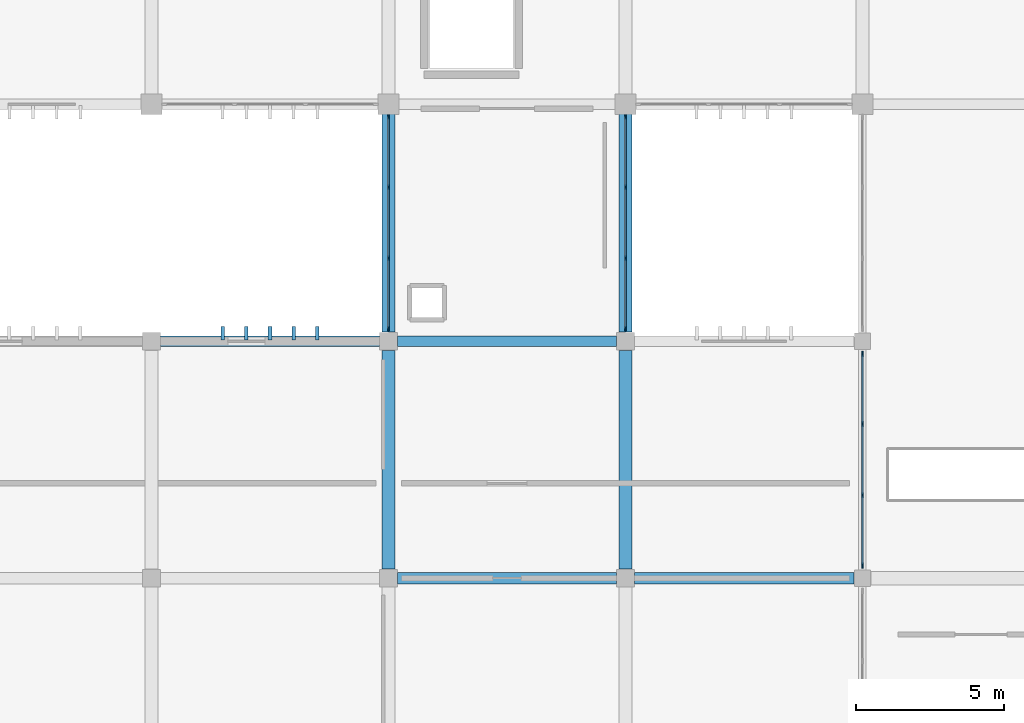
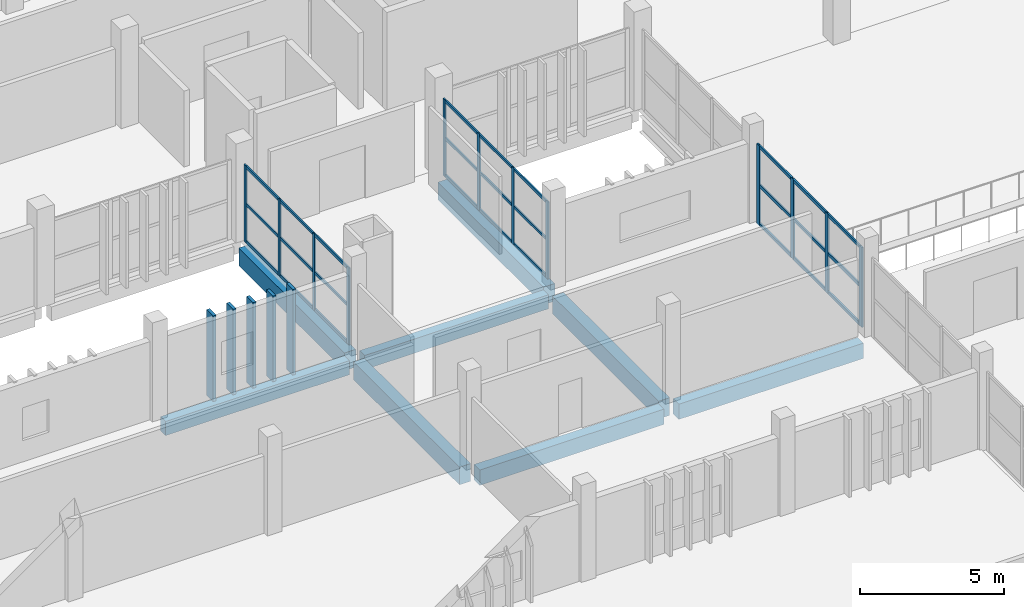
# One storey, part 54 of 137: 44 members, 8 beams, 3 elements without a shape of their own.
"""IFC4 building model written with IfcOpenShell, lengths in metres."""

import ifcopenshell
import ifcopenshell.guid

model = None  # the IFC model being written
_history = None  # IfcOwnerHistory: only IFC2X3 demands one
_inside = {}  # id of a spatial element -> (the spatial element, [elements in it])
_under = {}  # id of a project, library or spatial element -> (it, [spatial elements below it])
_declared = {}  # id of a project -> (the project, [libraries it declares])
_typed = {}  # id of a type object -> (the type object, [elements of that type])
_made_of = {}  # id of a material, layer set ... -> (it, [elements and type objects made of it])


def new_model(schema):
    """Start an empty IFC model of exactly this schema.

    Asked for "IFC4X3", IfcOpenShell would pick the latest addendum, in which some entities
    have other attributes; the version numbers below select the first issue.
    IFC2X3 requires an IfcOwnerHistory on every rooted entity: one is made here for all.
    """
    global model, _history
    if schema == "IFC4X3":
        model = ifcopenshell.file(schema_version=(4, 3, 0, 0))
    else:
        model = ifcopenshell.file(schema=schema)
    _inside.clear()
    _under.clear()
    _declared.clear()
    _typed.clear()
    _made_of.clear()
    _history = None
    if model.schema == "IFC2X3":
        org = make("IfcOrganization", Name="unknown")
        user = make(
            "IfcPersonAndOrganization",
            ThePerson=make("IfcPerson", FamilyName="unknown"),
            TheOrganization=org,
        )
        app = make(
            "IfcApplication",
            ApplicationDeveloper=org,
            Version="unknown",
            ApplicationFullName="unknown",
            ApplicationIdentifier="unknown",
        )
        _history = make(
            "IfcOwnerHistory",
            OwningUser=user,
            OwningApplication=app,
            ChangeAction="ADDED",
            CreationDate=0,
        )
    return model


def make(cls, **values):
    """One entity of the class cls with the attributes given. An attribute that is None is left unset."""
    return model.create_entity(
        cls, **{name: value for name, value in values.items() if value is not None}
    )


def rooted(cls, **values):
    """An entity with a GlobalId (a new one), such as an element, a storey or a relation."""
    return make(cls, GlobalId=ifcopenshell.guid.new(), OwnerHistory=_history, **values)


def si_unit(unit_type, name, prefix=None):
    """IfcSIUnit, for example si_unit("LENGTHUNIT", "METRE", prefix="MILLI")."""
    return make("IfcSIUnit", UnitType=unit_type, Prefix=prefix, Name=name)


def assignment(units):
    """IfcUnitAssignment: the units of a project."""
    return None if units is None else make("IfcUnitAssignment", Units=units)


def point(xyz):
    """IfcCartesianPoint."""
    return None if xyz is None else make("IfcCartesianPoint", Coordinates=xyz)


def direction(xyz):
    """IfcDirection."""
    return None if xyz is None else make("IfcDirection", DirectionRatios=xyz)


def frame(location, z_axis=None, x_axis=None):
    """IfcAxis2Placement3D, a coordinate frame: its origin and axes. An axis left out is left unset."""
    return make(
        "IfcAxis2Placement3D",
        Location=point(location),
        Axis=direction(z_axis),
        RefDirection=direction(x_axis),
    )


def frame_2d(location, x_axis=None):
    """IfcAxis2Placement2D, a coordinate frame in the plane: its origin and x axis."""
    return make(
        "IfcAxis2Placement2D", Location=point(location), RefDirection=direction(x_axis)
    )


def origin():
    """The frame at (0, 0, 0) with its axes left unset."""
    return frame((0.0, 0.0, 0.0))


def origin_2d():
    """The frame at (0, 0) in the plane with its x axis left unset."""
    return frame_2d((0.0, 0.0))


def place(relative_to, where):
    """IfcLocalPlacement: puts the frame where relative to a parent placement (None: the world)."""
    return make(
        "IfcLocalPlacement", PlacementRelTo=relative_to, RelativePlacement=where
    )


def context(
    kind, dimensions, precision=None, world=None, true_north=None, identifier=None
):
    """IfcGeometricRepresentationContext, for example the 3D "Model" context."""
    return make(
        "IfcGeometricRepresentationContext",
        ContextIdentifier=identifier,
        ContextType=kind,
        CoordinateSpaceDimension=dimensions,
        Precision=precision,
        WorldCoordinateSystem=world,
        TrueNorth=true_north,
    )


def subcontext(parent, identifier, kind, view, scale=None):
    """IfcGeometricRepresentationSubContext, for example "Body" below "Model"."""
    return make(
        "IfcGeometricRepresentationSubContext",
        ContextIdentifier=identifier,
        ContextType=kind,
        ParentContext=parent,
        TargetScale=scale,
        TargetView=view,
    )


def project(units=None, contexts=None):
    """IfcProject with its units and contexts."""
    return rooted(
        "IfcProject",
        Name="project",
        RepresentationContexts=contexts,
        UnitsInContext=assignment(units),
    )


def spatial(cls, under=None, at=None, **own):
    """A site, building, storey or space (cls), placed at a placement, below another one or the project."""
    s = rooted(cls, ObjectPlacement=at, **own)
    if under is not None:
        _under.setdefault(under.id(), (under, []))[1].append(s)
    return s


def profile(cls, at=None, kind="AREA", **sizes):
    """A parametric profile (cls). Its sizes go by their IFC names, for example OverallWidth=200.0."""
    return make(cls, ProfileType=kind, Position=at, **sizes)


def rectangle(**sizes):
    """IfcRectangleProfileDef."""
    return profile("IfcRectangleProfileDef", **sizes)


def extrude(swept, where, along, depth):
    """IfcExtrudedAreaSolid: the profile swept, set in the frame where, extruded along a direction by depth."""
    return make(
        "IfcExtrudedAreaSolid",
        SweptArea=swept,
        Position=where,
        ExtrudedDirection=direction(along),
        Depth=depth,
    )


def shape(context_of_items, identifier, shape_type, items):
    """IfcShapeRepresentation: the items that make up one representation, for example the "Body"."""
    return make(
        "IfcShapeRepresentation",
        ContextOfItems=context_of_items,
        RepresentationIdentifier=identifier,
        RepresentationType=shape_type,
        Items=items,
    )


def material(Name=None, Category=None):
    """IfcMaterial."""
    return make("IfcMaterial", Name=Name, Category=Category)


def layer(
    of_material, thickness, ventilated=None, Name=None, Category=None, Priority=None
):
    """IfcMaterialLayer: one layer of a wall or slab, of a material (None: an air gap)."""
    return make(
        "IfcMaterialLayer",
        Material=of_material,
        LayerThickness=thickness,
        IsVentilated=ventilated,
        Name=Name,
        Category=Category,
        Priority=Priority,
    )


def layer_set(layers, Name=None):
    """IfcMaterialLayerSet."""
    return make("IfcMaterialLayerSet", MaterialLayers=layers, LayerSetName=Name)


def material_profile(
    of_material, cross_section, Name=None, Category=None, Priority=None
):
    """IfcMaterialProfile: a cross section and its material."""
    return make(
        "IfcMaterialProfile",
        Name=Name,
        Material=of_material,
        Profile=cross_section,
        Priority=Priority,
        Category=Category,
    )


def profile_set(profiles, Name=None, composite=None):
    """IfcMaterialProfileSet."""
    return make(
        "IfcMaterialProfileSet",
        Name=Name,
        MaterialProfiles=profiles,
        CompositeProfile=composite,
    )


def made_of(thing, what):
    """Note that an element or type object is made of a material, layer set ...; save() writes the relation."""
    if what is not None:
        _made_of.setdefault(what.id(), (what, []))[1].append(thing)
    return thing


def type_object(cls, material=None, **own):
    """A type object (cls), such as IfcWallType, which elements share."""
    return made_of(rooted(cls, **own), material)


def element(
    cls,
    number,
    at=None,
    inside=None,
    cuts=None,
    type_object=None,
    material=None,
    context=None,
    identifier="Body",
    shape_type=None,
    held_by="IfcProductDefinitionShape",
    body=None,
    shapes=None,
    **own,
):
    """One element of the class cls, such as IfcWall. Its Tag is "e" and its number.

    at: its placement. inside: the storey or other place that contains it. cuts: it is an
    opening in that element (IfcRelVoidsElement). A single representation is given by context,
    identifier, shape_type and body (its items); several are given by shapes. held_by: the class
    of the entity that holds the representations. save() writes the other relations.
    """
    e = rooted(cls, Tag="e%d" % number, ObjectPlacement=at, **own)
    if body is not None:
        shapes = [shape(context, identifier, shape_type, body)]
    if shapes is not None:
        e.Representation = make(held_by, Representations=shapes)
    if inside is not None:
        _inside.setdefault(inside.id(), (inside, []))[1].append(e)
    if cuts is not None:
        rooted(
            "IfcRelVoidsElement", RelatingBuildingElement=cuts, RelatedOpeningElement=e
        )
    if type_object is not None:
        _typed.setdefault(type_object.id(), (type_object, []))[1].append(e)
    return made_of(e, material)


def aggregate(whole, parts):
    """IfcRelAggregates: a whole, such as a stair, and the parts it consists of."""
    return rooted("IfcRelAggregates", RelatingObject=whole, RelatedObjects=parts)


def save(model, path):
    """Write the relations noted so far, then the file.

    IfcRelAggregates (storeys below a building ...), IfcRelContainedInSpatialStructure (elements
    in a storey), IfcRelDefinesByType, IfcRelAssociatesMaterial and IfcRelDeclares: one each for
    every whole, place, type object, material and project.
    """
    for whole, parts in _under.values():
        aggregate(whole, parts)
    for where, things in _inside.values():
        rooted(
            "IfcRelContainedInSpatialStructure",
            RelatedElements=things,
            RelatingStructure=where,
        )
    for kind, things in _typed.values():
        rooted("IfcRelDefinesByType", RelatedObjects=things, RelatingType=kind)
    for what, things in _made_of.values():
        rooted("IfcRelAssociatesMaterial", RelatedObjects=things, RelatingMaterial=what)
    for by, libraries in _declared.values():
        rooted("IfcRelDeclares", RelatingContext=by, RelatedDefinitions=libraries)
    model.write(path)


model = new_model("IFC4")

# Units and contexts
model_context = context("Model", 3, precision=1e-05, world=origin(), true_north=direction((0.0, 1.0)))
body_context = subcontext(model_context, "Body", "Model", "MODEL_VIEW")
ifc_project = project(units=[si_unit("LENGTHUNIT", "METRE"), si_unit("AREAUNIT", "SQUARE_METRE"), si_unit("VOLUMEUNIT", "CUBIC_METRE"), si_unit("PLANEANGLEUNIT", "RADIAN"), si_unit("MASSUNIT", "GRAM", prefix="KILO")], contexts=[model_context])

# Site, building, storey
site_placement = place(None, origin())
site = spatial("IfcSite", under=ifc_project, at=site_placement, CompositionType="ELEMENT")
building_placement = place(site_placement, origin())
building = spatial("IfcBuilding", under=site, at=building_placement, Name="Jelvoka-Kovrelna Polytechnic", CompositionType="ELEMENT")
storey_placement = place(building_placement, frame((0.0, 0.0, 9.60009765625)))
storey = spatial("IfcBuildingStorey", under=building, at=storey_placement, Name="L03", CompositionType="ELEMENT", Elevation=9.60009765625)

# Beams
ifc_material_1 = material(Name="Concrete C40/50", Category="concrete")
ifc_material_profile_1 = material_profile(ifc_material_1, rectangle(XDim=0.39990234375, YDim=0.64990234375, at=origin_2d()), Name="RC 400x650")
ifc_profile_set_1 = profile_set([ifc_material_profile_1], Name="Concrete C40/50")
beam_type_1 = type_object("IfcBeamType", Name="Beam_RC_400x650", PredefinedType="BEAM", material=ifc_profile_set_1)
beam_1_placement = place(storey_placement, frame((144.304931640625, 16.0, -0.590087890625), z_axis=(1.0, 0.0, 0.0), x_axis=(0.0, 1.0, 0.0)))
element("IfcBeam", 1, at=beam_1_placement, inside=storey, type_object=beam_type_1, Name="L03 beam 0909", PredefinedType="BEAM", context=body_context, shape_type="SweptSolid", body=[
    extrude(rectangle(XDim=0.39990234375, YDim=0.64990234375, at=origin_2d()), origin(), (0.0, 0.0, 1.0), 7.39013671875),
])
beam_2_placement = place(storey_placement, frame((152.304931640625, 16.0, -0.590087890625), z_axis=(1.0, 0.0, 0.0), x_axis=(0.0, 1.0, 0.0)))
element("IfcBeam", 2, at=beam_2_placement, inside=storey, type_object=beam_type_1, Name="L03 beam 0910", PredefinedType="BEAM", context=body_context, shape_type="SweptSolid", body=[
    extrude(rectangle(XDim=0.39990234375, YDim=0.64990234375, at=origin_2d()), origin(), (0.0, 0.0, 1.0), 7.4150390625),
])
ifc_material_2 = material(Name="Concrete C40/50", Category="concrete")
ifc_material_profile_2 = material_profile(ifc_material_2, rectangle(XDim=0.449951171875, YDim=0.75, at=origin_2d()), Name="RC 450x750")
ifc_profile_set_2 = profile_set([ifc_material_profile_2], Name="Concrete C40/50")
beam_type_2 = type_object("IfcBeamType", Name="Beam_RC_450x750", PredefinedType="BEAM", material=ifc_profile_set_2)
for number, where, z_axis, x_axis, name in (
    (3, (144.0, 16.304931640625, -0.64013671875), (0.0, 1.0, 0.0), (-1.0, 0.0, 0.0), "L03 beam 0924"),
    (4, (152.0, 16.304931640625, -0.64013671875), (0.0, 1.0, 0.0), (-1.0, 0.0, 0.0), "L03 beam 0926"),
):
    element("IfcBeam", number, at=place(storey_placement, frame(where, z_axis=z_axis, x_axis=x_axis)), inside=storey, type_object=beam_type_2, Name=name, PredefinedType="BEAM", context=body_context, shape_type="SweptSolid", body=[
        extrude(rectangle(XDim=0.449951171875, YDim=0.75, at=origin_2d()), origin(), (0.0, 0.0, 1.0), 7.39013671875),
    ])
for number, where, z_axis, x_axis, name in (
    (5, (144.0, 24.304931640625, -0.64013671875), (0.0, 1.0, 0.0), (-1.0, 0.0, 0.0), "L03 beam 1106"),
    (6, (152.0, 24.304931640625, -0.64013671875), (0.0, 1.0, 0.0), (-1.0, 0.0, 0.0), "L03 beam 1107"),
):
    element("IfcBeam", number, at=place(storey_placement, frame(where, z_axis=z_axis, x_axis=x_axis)), inside=storey, type_object=beam_type_2, Name=name, PredefinedType="BEAM", context=body_context, shape_type="SweptSolid", body=[
        extrude(rectangle(XDim=0.449951171875, YDim=0.75, at=origin_2d()), origin(), (0.0, 0.0, 1.0), 7.364990234375),
    ])

# Members
ifc_material_3 = material(Name="Precast concrete C40/50", Category="concrete")
ifc_material_profile_3 = material_profile(ifc_material_3, rectangle(XDim=0.1201171875, YDim=0.449951171875, at=origin_2d()), Name="PC 120x450")
ifc_profile_set_3 = profile_set([ifc_material_profile_3], Name="Precast concrete C40/50")
member_type_1 = type_object("IfcMemberType", Name="Louvre_Fin_120x450", PredefinedType="USERDEFINED", material=ifc_profile_set_3)
for number, where, z_axis, x_axis, name in (
    (7, (138.39990234375, 24.264892578125, -0.27001953125), (0.0, 0.0, 1.0), (1.0, 0.0, 0.0), "L03 B1 north vertical solar louvre fin 0316"),
    (8, (139.199951171875, 24.264892578125, -0.27001953125), (0.0, 0.0, 1.0), (1.0, 0.0, 0.0), "L03 B1 north vertical solar louvre fin 0317"),
    (9, (140.0, 24.264892578125, -0.27001953125), (0.0, 0.0, 1.0), (1.0, 0.0, 0.0), "L03 B1 north vertical solar louvre fin 0318"),
    (10, (140.800048828125, 24.264892578125, -0.27001953125), (0.0, 0.0, 1.0), (1.0, 0.0, 0.0), "L03 B1 north vertical solar louvre fin 0319"),
    (11, (141.60009765625, 24.264892578125, -0.27001953125), (0.0, 0.0, 1.0), (1.0, 0.0, 0.0), "L03 B1 north vertical solar louvre fin 0320"),
):
    element("IfcMember", number, at=place(storey_placement, frame(where, z_axis=z_axis, x_axis=x_axis)), inside=storey, type_object=member_type_1, Name=name, ObjectType="SUNSHADE", PredefinedType="USERDEFINED", context=body_context, shape_type="SweptSolid", body=[
        extrude(rectangle(XDim=0.1201171875, YDim=0.449951171875, at=origin_2d()), origin(), (0.0, 0.0, 1.0), 3.64501953125),
    ])

# Curtain wall, members
ifc_material_4 = material(Name="Anodised aluminium 6063-T6", Category="aluminium")
ifc_layer_1 = layer(ifc_material_4, 0.159912109375)
ifc_layer_set_1 = layer_set([ifc_layer_1], Name="Anodised aluminium 6063-T6")
curtain_wall_type_1 = type_object("IfcCurtainWallType", Name="CW_LinkBridge", PredefinedType="NOTDEFINED", material=ifc_layer_set_1)
curtain_wall_1_placement = place(storey_placement, origin())
curtain_wall_1 = element("IfcCurtainWall", 12, at=curtain_wall_1_placement, inside=storey, type_object=curtain_wall_type_1, Name="L03 glazed curtain wall 126", PredefinedType="NOTDEFINED")
ifc_material_5 = material(Name="Anodised aluminium 6063-T6", Category="aluminium")
ifc_material_profile_4 = material_profile(ifc_material_5, rectangle(XDim=0.06005859375, YDim=0.159912109375, at=origin_2d()), Name="ALU 60x160")
ifc_profile_set_4 = profile_set([ifc_material_profile_4], Name="Anodised aluminium 6063-T6")
member_type_2 = type_object("IfcMemberType", Name="Mullion_M-04", PredefinedType="MULLION", material=ifc_profile_set_4)
member_1_placement = place(storey_placement, frame((144.0, 24.429931640625, -0.02490234375), z_axis=(0.0, 0.0, 1.0), x_axis=(-1.0, 0.0, 0.0)))
member_1 = element("IfcMember", 13, at=member_1_placement, type_object=member_type_2, Name="CW-04 mullion 1", PredefinedType="MULLION", context=body_context, shape_type="SweptSolid", body=[
    extrude(rectangle(XDim=0.06005859375, YDim=0.159912109375, at=origin_2d()), origin(), (0.0, 0.0, 1.0), 3.27490234375),
])
member_2_placement = place(storey_placement, frame((144.0, 26.800048828125, -0.02490234375), z_axis=(0.0, 0.0, 1.0), x_axis=(-1.0, 0.0, 0.0)))
member_2 = element("IfcMember", 14, at=member_2_placement, type_object=member_type_2, Name="CW-04 mullion 2", PredefinedType="MULLION", context=body_context, shape_type="SweptSolid", body=[
    extrude(rectangle(XDim=0.06005859375, YDim=0.159912109375, at=origin_2d()), origin(), (0.0, 0.0, 1.0), 3.27490234375),
])
member_3_placement = place(storey_placement, frame((144.0, 29.199951171875, -0.02490234375), z_axis=(0.0, 0.0, 1.0), x_axis=(-1.0, 0.0, 0.0)))
member_3 = element("IfcMember", 15, at=member_3_placement, type_object=member_type_2, Name="CW-04 mullion 3", PredefinedType="MULLION", context=body_context, shape_type="SweptSolid", body=[
    extrude(rectangle(XDim=0.06005859375, YDim=0.159912109375, at=origin_2d()), origin(), (0.0, 0.0, 1.0), 3.27490234375),
])
member_4_placement = place(storey_placement, frame((144.0, 31.570068359375, -0.02490234375), z_axis=(0.0, 0.0, 1.0), x_axis=(-1.0, 0.0, 0.0)))
member_4 = element("IfcMember", 16, at=member_4_placement, type_object=member_type_2, Name="CW-04 mullion 4", PredefinedType="MULLION", context=body_context, shape_type="SweptSolid", body=[
    extrude(rectangle(XDim=0.06005859375, YDim=0.159912109375, at=origin_2d()), origin(), (0.0, 0.0, 1.0), 3.27490234375),
])

curtain_wall_2_placement = place(storey_placement, origin())
curtain_wall_2 = element("IfcCurtainWall", 17, at=curtain_wall_2_placement, inside=storey, type_object=curtain_wall_type_1, Name="L03 glazed curtain wall 127", PredefinedType="NOTDEFINED")
member_5_placement = place(storey_placement, frame((152.0, 31.570068359375, -0.02490234375), z_axis=(0.0, 0.0, 1.0), x_axis=(1.0, 0.0, 0.0)))
member_5 = element("IfcMember", 18, at=member_5_placement, type_object=member_type_2, Name="CW-04 mullion 1", PredefinedType="MULLION", context=body_context, shape_type="SweptSolid", body=[
    extrude(rectangle(XDim=0.06005859375, YDim=0.159912109375, at=origin_2d()), origin(), (0.0, 0.0, 1.0), 3.27490234375),
])
member_6_placement = place(storey_placement, frame((152.0, 29.199951171875, -0.02490234375), z_axis=(0.0, 0.0, 1.0), x_axis=(1.0, 0.0, 0.0)))
member_6 = element("IfcMember", 19, at=member_6_placement, type_object=member_type_2, Name="CW-04 mullion 2", PredefinedType="MULLION", context=body_context, shape_type="SweptSolid", body=[
    extrude(rectangle(XDim=0.06005859375, YDim=0.159912109375, at=origin_2d()), origin(), (0.0, 0.0, 1.0), 3.27490234375),
])
member_7_placement = place(storey_placement, frame((152.0, 26.800048828125, -0.02490234375), z_axis=(0.0, 0.0, 1.0), x_axis=(1.0, 0.0, 0.0)))
member_7 = element("IfcMember", 20, at=member_7_placement, type_object=member_type_2, Name="CW-04 mullion 3", PredefinedType="MULLION", context=body_context, shape_type="SweptSolid", body=[
    extrude(rectangle(XDim=0.06005859375, YDim=0.159912109375, at=origin_2d()), origin(), (0.0, 0.0, 1.0), 3.27490234375),
])
member_8_placement = place(storey_placement, frame((152.0, 24.429931640625, -0.02490234375), z_axis=(0.0, 0.0, 1.0), x_axis=(1.0, 0.0, 0.0)))
member_8 = element("IfcMember", 21, at=member_8_placement, type_object=member_type_2, Name="CW-04 mullion 4", PredefinedType="MULLION", context=body_context, shape_type="SweptSolid", body=[
    extrude(rectangle(XDim=0.06005859375, YDim=0.159912109375, at=origin_2d()), origin(), (0.0, 0.0, 1.0), 3.27490234375),
])

ifc_material_6 = material(Name="Anodised aluminium 6063-T6", Category="aluminium")
ifc_layer_2 = layer(ifc_material_6, 0.179931640625)
ifc_layer_set_2 = layer_set([ifc_layer_2], Name="Anodised aluminium 6063-T6")
curtain_wall_type_2 = type_object("IfcCurtainWallType", Name="CW_Pavilion", PredefinedType="NOTDEFINED", material=ifc_layer_set_2)
curtain_wall_3_placement = place(storey_placement, origin())
curtain_wall_3 = element("IfcCurtainWall", 22, at=curtain_wall_3_placement, inside=storey, type_object=curtain_wall_type_2, Name="L03 glazed curtain wall 296", PredefinedType="NOTDEFINED")
ifc_material_7 = material(Name="Anodised aluminium 6063-T6", Category="aluminium")
ifc_material_profile_5 = material_profile(ifc_material_7, rectangle(XDim=0.06494140625, YDim=0.179931640625, at=origin_2d()), Name="ALU 65x180")
ifc_profile_set_5 = profile_set([ifc_material_profile_5], Name="Anodised aluminium 6063-T6")
member_type_3 = type_object("IfcMemberType", Name="Mullion_M-05", PredefinedType="MULLION", material=ifc_profile_set_5)
member_9_placement = place(storey_placement, frame((160.0, 16.4326171875, -0.02490234375), z_axis=(0.0, 0.0, 1.0), x_axis=(-1.0, 0.0, 0.0)))
member_9 = element("IfcMember", 23, at=member_9_placement, type_object=member_type_3, Name="CW-05 mullion 1", PredefinedType="MULLION", context=body_context, shape_type="SweptSolid", body=[
    extrude(rectangle(XDim=0.06494140625, YDim=0.179931640625, at=origin_2d()), origin(), (0.0, 0.0, 1.0), 3.39990234375),
])
member_10_placement = place(storey_placement, frame((160.0, 18.800048828125, -0.02490234375), z_axis=(0.0, 0.0, 1.0), x_axis=(-1.0, 0.0, 0.0)))
member_10 = element("IfcMember", 24, at=member_10_placement, type_object=member_type_3, Name="CW-05 mullion 2", PredefinedType="MULLION", context=body_context, shape_type="SweptSolid", body=[
    extrude(rectangle(XDim=0.06494140625, YDim=0.179931640625, at=origin_2d()), origin(), (0.0, 0.0, 1.0), 3.39990234375),
])
member_11_placement = place(storey_placement, frame((160.0, 21.199951171875, -0.02490234375), z_axis=(0.0, 0.0, 1.0), x_axis=(-1.0, 0.0, 0.0)))
member_11 = element("IfcMember", 25, at=member_11_placement, type_object=member_type_3, Name="CW-05 mullion 3", PredefinedType="MULLION", context=body_context, shape_type="SweptSolid", body=[
    extrude(rectangle(XDim=0.06494140625, YDim=0.179931640625, at=origin_2d()), origin(), (0.0, 0.0, 1.0), 3.39990234375),
])
member_12_placement = place(storey_placement, frame((160.0, 23.5673828125, -0.02490234375), z_axis=(0.0, 0.0, 1.0), x_axis=(-1.0, 0.0, 0.0)))
member_12 = element("IfcMember", 26, at=member_12_placement, type_object=member_type_3, Name="CW-05 mullion 4", PredefinedType="MULLION", context=body_context, shape_type="SweptSolid", body=[
    extrude(rectangle(XDim=0.06494140625, YDim=0.179931640625, at=origin_2d()), origin(), (0.0, 0.0, 1.0), 3.39990234375),
])

# Beams
ifc_material_8 = material(Name="Concrete C40/50", Category="concrete")
ifc_material_profile_6 = material_profile(ifc_material_8, rectangle(XDim=0.35009765625, YDim=0.60009765625, at=origin_2d()), Name="RC 350x600")
ifc_profile_set_6 = profile_set([ifc_material_profile_6], Name="Concrete C40/50")
beam_type_3 = type_object("IfcBeamType", Name="Spandrel_RC_350x600", PredefinedType="SPANDREL", material=ifc_profile_set_6)
for number, where, z_axis, x_axis, name in (
    (27, (136.304931640625, 24.0, -0.565185546875), (1.0, 0.0, 0.0), (0.0, 1.0, 0.0), "L03 beam 0914"),
    (28, (144.304931640625, 24.0, -0.565185546875), (1.0, 0.0, 0.0), (0.0, 1.0, 0.0), "L03 beam 0915"),
):
    element("IfcBeam", number, at=place(storey_placement, frame(where, z_axis=z_axis, x_axis=x_axis)), inside=storey, type_object=beam_type_3, Name=name, PredefinedType="SPANDREL", context=body_context, shape_type="SweptSolid", body=[
        extrude(rectangle(XDim=0.35009765625, YDim=0.60009765625, at=origin_2d()), origin(), (0.0, 0.0, 1.0), 7.39013671875),
    ])

# Member
ifc_material_9 = material(Name="Anodised aluminium 6063-T6", Category="aluminium")
ifc_material_profile_7 = material_profile(ifc_material_9, rectangle(XDim=0.06005859375, YDim=0.1201171875, at=origin_2d()), Name="ALU 60x120")
ifc_profile_set_7 = profile_set([ifc_material_profile_7], Name="Anodised aluminium 6063-T6")
member_type_4 = type_object("IfcMemberType", Name="Transom_T-04", PredefinedType="USERDEFINED", material=ifc_profile_set_7)
member_13_placement = place(storey_placement, frame((144.0, 24.4599609375, 0.02978515625), z_axis=(0.0, 1.0, 0.0), x_axis=(-1.0, 0.0, 0.0)))
member_13 = element("IfcMember", 29, at=member_13_placement, type_object=member_type_4, Name="CW-04 transom 1.1", ObjectType="TRANSOM", PredefinedType="USERDEFINED", context=body_context, shape_type="SweptSolid", body=[
    extrude(rectangle(XDim=0.06005859375, YDim=0.1201171875, at=origin_2d()), origin(), (0.0, 0.0, 1.0), 2.31005859375),
])

member_14_placement = place(storey_placement, frame((144.0, 24.4599609375, 1.6123046875), z_axis=(0.0, 1.0, 0.0), x_axis=(-1.0, 0.0, 0.0)))
member_14 = element("IfcMember", 30, at=member_14_placement, type_object=member_type_4, Name="CW-04 transom 1.2", ObjectType="TRANSOM", PredefinedType="USERDEFINED", context=body_context, shape_type="SweptSolid", body=[
    extrude(rectangle(XDim=0.06005859375, YDim=0.1201171875, at=origin_2d()), origin(), (0.0, 0.0, 1.0), 2.31005859375),
])

member_15_placement = place(storey_placement, frame((144.0, 24.4599609375, 3.19482421875), z_axis=(0.0, 1.0, 0.0), x_axis=(-1.0, 0.0, 0.0)))
member_15 = element("IfcMember", 31, at=member_15_placement, type_object=member_type_4, Name="CW-04 transom 1.3", ObjectType="TRANSOM", PredefinedType="USERDEFINED", context=body_context, shape_type="SweptSolid", body=[
    extrude(rectangle(XDim=0.06005859375, YDim=0.1201171875, at=origin_2d()), origin(), (0.0, 0.0, 1.0), 2.31005859375),
])

member_16_placement = place(storey_placement, frame((144.0, 26.830078125, 0.02978515625), z_axis=(0.0, 1.0, 0.0), x_axis=(-1.0, 0.0, 0.0)))
member_16 = element("IfcMember", 32, at=member_16_placement, type_object=member_type_4, Name="CW-04 transom 2.1", ObjectType="TRANSOM", PredefinedType="USERDEFINED", context=body_context, shape_type="SweptSolid", body=[
    extrude(rectangle(XDim=0.06005859375, YDim=0.1201171875, at=origin_2d()), origin(), (0.0, 0.0, 1.0), 2.33984375),
])

member_17_placement = place(storey_placement, frame((144.0, 26.830078125, 1.6123046875), z_axis=(0.0, 1.0, 0.0), x_axis=(-1.0, 0.0, 0.0)))
member_17 = element("IfcMember", 33, at=member_17_placement, type_object=member_type_4, Name="CW-04 transom 2.2", ObjectType="TRANSOM", PredefinedType="USERDEFINED", context=body_context, shape_type="SweptSolid", body=[
    extrude(rectangle(XDim=0.06005859375, YDim=0.1201171875, at=origin_2d()), origin(), (0.0, 0.0, 1.0), 2.33984375),
])

member_18_placement = place(storey_placement, frame((144.0, 26.830078125, 3.19482421875), z_axis=(0.0, 1.0, 0.0), x_axis=(-1.0, 0.0, 0.0)))
member_18 = element("IfcMember", 34, at=member_18_placement, type_object=member_type_4, Name="CW-04 transom 2.3", ObjectType="TRANSOM", PredefinedType="USERDEFINED", context=body_context, shape_type="SweptSolid", body=[
    extrude(rectangle(XDim=0.06005859375, YDim=0.1201171875, at=origin_2d()), origin(), (0.0, 0.0, 1.0), 2.33984375),
])

member_19_placement = place(storey_placement, frame((144.0, 29.22998046875, 0.02978515625), z_axis=(0.0, 1.0, 0.0), x_axis=(-1.0, 0.0, 0.0)))
member_19 = element("IfcMember", 35, at=member_19_placement, type_object=member_type_4, Name="CW-04 transom 3.1", ObjectType="TRANSOM", PredefinedType="USERDEFINED", context=body_context, shape_type="SweptSolid", body=[
    extrude(rectangle(XDim=0.06005859375, YDim=0.1201171875, at=origin_2d()), origin(), (0.0, 0.0, 1.0), 2.31005859375),
])

member_20_placement = place(storey_placement, frame((144.0, 29.22998046875, 1.6123046875), z_axis=(0.0, 1.0, 0.0), x_axis=(-1.0, 0.0, 0.0)))
member_20 = element("IfcMember", 36, at=member_20_placement, type_object=member_type_4, Name="CW-04 transom 3.2", ObjectType="TRANSOM", PredefinedType="USERDEFINED", context=body_context, shape_type="SweptSolid", body=[
    extrude(rectangle(XDim=0.06005859375, YDim=0.1201171875, at=origin_2d()), origin(), (0.0, 0.0, 1.0), 2.31005859375),
])

member_21_placement = place(storey_placement, frame((144.0, 29.22998046875, 3.19482421875), z_axis=(0.0, 1.0, 0.0), x_axis=(-1.0, 0.0, 0.0)))
member_21 = element("IfcMember", 37, at=member_21_placement, type_object=member_type_4, Name="CW-04 transom 3.3", ObjectType="TRANSOM", PredefinedType="USERDEFINED", context=body_context, shape_type="SweptSolid", body=[
    extrude(rectangle(XDim=0.06005859375, YDim=0.1201171875, at=origin_2d()), origin(), (0.0, 0.0, 1.0), 2.31005859375),
])

aggregate(curtain_wall_1, [member_1, member_2, member_3, member_4, member_13, member_14, member_15, member_16, member_17, member_18, member_19, member_20, member_21])

member_22_placement = place(storey_placement, frame((152.0, 31.5400390625, 0.02978515625), z_axis=(0.0, -1.0, 0.0), x_axis=(1.0, 0.0, 0.0)))
member_22 = element("IfcMember", 38, at=member_22_placement, type_object=member_type_4, Name="CW-04 transom 1.1", ObjectType="TRANSOM", PredefinedType="USERDEFINED", context=body_context, shape_type="SweptSolid", body=[
    extrude(rectangle(XDim=0.06005859375, YDim=0.1201171875, at=origin_2d()), origin(), (0.0, 0.0, 1.0), 2.31005859375),
])

member_23_placement = place(storey_placement, frame((152.0, 31.5400390625, 1.6123046875), z_axis=(0.0, -1.0, 0.0), x_axis=(1.0, 0.0, 0.0)))
member_23 = element("IfcMember", 39, at=member_23_placement, type_object=member_type_4, Name="CW-04 transom 1.2", ObjectType="TRANSOM", PredefinedType="USERDEFINED", context=body_context, shape_type="SweptSolid", body=[
    extrude(rectangle(XDim=0.06005859375, YDim=0.1201171875, at=origin_2d()), origin(), (0.0, 0.0, 1.0), 2.31005859375),
])

member_24_placement = place(storey_placement, frame((152.0, 31.5400390625, 3.19482421875), z_axis=(0.0, -1.0, 0.0), x_axis=(1.0, 0.0, 0.0)))
member_24 = element("IfcMember", 40, at=member_24_placement, type_object=member_type_4, Name="CW-04 transom 1.3", ObjectType="TRANSOM", PredefinedType="USERDEFINED", context=body_context, shape_type="SweptSolid", body=[
    extrude(rectangle(XDim=0.06005859375, YDim=0.1201171875, at=origin_2d()), origin(), (0.0, 0.0, 1.0), 2.31005859375),
])

member_25_placement = place(storey_placement, frame((152.0, 29.169921875, 0.02978515625), z_axis=(0.0, -1.0, 0.0), x_axis=(1.0, 0.0, 0.0)))
member_25 = element("IfcMember", 41, at=member_25_placement, type_object=member_type_4, Name="CW-04 transom 2.1", ObjectType="TRANSOM", PredefinedType="USERDEFINED", context=body_context, shape_type="SweptSolid", body=[
    extrude(rectangle(XDim=0.06005859375, YDim=0.1201171875, at=origin_2d()), origin(), (0.0, 0.0, 1.0), 2.33984375),
])

member_26_placement = place(storey_placement, frame((152.0, 29.169921875, 1.6123046875), z_axis=(0.0, -1.0, 0.0), x_axis=(1.0, 0.0, 0.0)))
member_26 = element("IfcMember", 42, at=member_26_placement, type_object=member_type_4, Name="CW-04 transom 2.2", ObjectType="TRANSOM", PredefinedType="USERDEFINED", context=body_context, shape_type="SweptSolid", body=[
    extrude(rectangle(XDim=0.06005859375, YDim=0.1201171875, at=origin_2d()), origin(), (0.0, 0.0, 1.0), 2.33984375),
])

member_27_placement = place(storey_placement, frame((152.0, 29.169921875, 3.19482421875), z_axis=(0.0, -1.0, 0.0), x_axis=(1.0, 0.0, 0.0)))
member_27 = element("IfcMember", 43, at=member_27_placement, type_object=member_type_4, Name="CW-04 transom 2.3", ObjectType="TRANSOM", PredefinedType="USERDEFINED", context=body_context, shape_type="SweptSolid", body=[
    extrude(rectangle(XDim=0.06005859375, YDim=0.1201171875, at=origin_2d()), origin(), (0.0, 0.0, 1.0), 2.33984375),
])

member_28_placement = place(storey_placement, frame((152.0, 26.77001953125, 0.02978515625), z_axis=(0.0, -1.0, 0.0), x_axis=(1.0, 0.0, 0.0)))
member_28 = element("IfcMember", 44, at=member_28_placement, type_object=member_type_4, Name="CW-04 transom 3.1", ObjectType="TRANSOM", PredefinedType="USERDEFINED", context=body_context, shape_type="SweptSolid", body=[
    extrude(rectangle(XDim=0.06005859375, YDim=0.1201171875, at=origin_2d()), origin(), (0.0, 0.0, 1.0), 2.31005859375),
])

member_29_placement = place(storey_placement, frame((152.0, 26.77001953125, 1.6123046875), z_axis=(0.0, -1.0, 0.0), x_axis=(1.0, 0.0, 0.0)))
member_29 = element("IfcMember", 45, at=member_29_placement, type_object=member_type_4, Name="CW-04 transom 3.2", ObjectType="TRANSOM", PredefinedType="USERDEFINED", context=body_context, shape_type="SweptSolid", body=[
    extrude(rectangle(XDim=0.06005859375, YDim=0.1201171875, at=origin_2d()), origin(), (0.0, 0.0, 1.0), 2.31005859375),
])

member_30_placement = place(storey_placement, frame((152.0, 26.77001953125, 3.19482421875), z_axis=(0.0, -1.0, 0.0), x_axis=(1.0, 0.0, 0.0)))
member_30 = element("IfcMember", 46, at=member_30_placement, type_object=member_type_4, Name="CW-04 transom 3.3", ObjectType="TRANSOM", PredefinedType="USERDEFINED", context=body_context, shape_type="SweptSolid", body=[
    extrude(rectangle(XDim=0.06005859375, YDim=0.1201171875, at=origin_2d()), origin(), (0.0, 0.0, 1.0), 2.31005859375),
])

aggregate(curtain_wall_2, [member_5, member_6, member_7, member_8, member_22, member_23, member_24, member_25, member_26, member_27, member_28, member_29, member_30])

ifc_material_10 = material(Name="Anodised aluminium 6063-T6", Category="aluminium")
ifc_material_profile_8 = material_profile(ifc_material_10, rectangle(XDim=0.06494140625, YDim=0.135009765625, at=origin_2d()), Name="ALU 65x135")
ifc_profile_set_8 = profile_set([ifc_material_profile_8], Name="Anodised aluminium 6063-T6")
member_type_5 = type_object("IfcMemberType", Name="Transom_T-05", PredefinedType="USERDEFINED", material=ifc_profile_set_8)
member_31_placement = place(storey_placement, frame((160.0, 16.465087890625, 0.032470703125), z_axis=(0.0, 1.0, 0.0), x_axis=(-1.0, 0.0, 0.0)))
member_31 = element("IfcMember", 47, at=member_31_placement, type_object=member_type_5, Name="CW-05 transom 1.1", ObjectType="TRANSOM", PredefinedType="USERDEFINED", context=body_context, shape_type="SweptSolid", body=[
    extrude(rectangle(XDim=0.06494140625, YDim=0.135009765625, at=origin_2d()), origin(), (0.0, 0.0, 1.0), 2.302490234375),
])

member_32_placement = place(storey_placement, frame((160.0, 16.465087890625, 1.6748046875), z_axis=(0.0, 1.0, 0.0), x_axis=(-1.0, 0.0, 0.0)))
member_32 = element("IfcMember", 48, at=member_32_placement, type_object=member_type_5, Name="CW-05 transom 1.2", ObjectType="TRANSOM", PredefinedType="USERDEFINED", context=body_context, shape_type="SweptSolid", body=[
    extrude(rectangle(XDim=0.06494140625, YDim=0.135009765625, at=origin_2d()), origin(), (0.0, 0.0, 1.0), 2.302490234375),
])

member_33_placement = place(storey_placement, frame((160.0, 16.465087890625, 3.3173828125), z_axis=(0.0, 1.0, 0.0), x_axis=(-1.0, 0.0, 0.0)))
member_33 = element("IfcMember", 49, at=member_33_placement, type_object=member_type_5, Name="CW-05 transom 1.3", ObjectType="TRANSOM", PredefinedType="USERDEFINED", context=body_context, shape_type="SweptSolid", body=[
    extrude(rectangle(XDim=0.06494140625, YDim=0.135009765625, at=origin_2d()), origin(), (0.0, 0.0, 1.0), 2.302490234375),
])

member_34_placement = place(storey_placement, frame((160.0, 18.83251953125, 0.032470703125), z_axis=(0.0, 1.0, 0.0), x_axis=(-1.0, 0.0, 0.0)))
member_34 = element("IfcMember", 50, at=member_34_placement, type_object=member_type_5, Name="CW-05 transom 2.1", ObjectType="TRANSOM", PredefinedType="USERDEFINED", context=body_context, shape_type="SweptSolid", body=[
    extrude(rectangle(XDim=0.06494140625, YDim=0.135009765625, at=origin_2d()), origin(), (0.0, 0.0, 1.0), 2.3349609375),
])

member_35_placement = place(storey_placement, frame((160.0, 18.83251953125, 1.6748046875), z_axis=(0.0, 1.0, 0.0), x_axis=(-1.0, 0.0, 0.0)))
member_35 = element("IfcMember", 51, at=member_35_placement, type_object=member_type_5, Name="CW-05 transom 2.2", ObjectType="TRANSOM", PredefinedType="USERDEFINED", context=body_context, shape_type="SweptSolid", body=[
    extrude(rectangle(XDim=0.06494140625, YDim=0.135009765625, at=origin_2d()), origin(), (0.0, 0.0, 1.0), 2.3349609375),
])

member_36_placement = place(storey_placement, frame((160.0, 18.83251953125, 3.3173828125), z_axis=(0.0, 1.0, 0.0), x_axis=(-1.0, 0.0, 0.0)))
member_36 = element("IfcMember", 52, at=member_36_placement, type_object=member_type_5, Name="CW-05 transom 2.3", ObjectType="TRANSOM", PredefinedType="USERDEFINED", context=body_context, shape_type="SweptSolid", body=[
    extrude(rectangle(XDim=0.06494140625, YDim=0.135009765625, at=origin_2d()), origin(), (0.0, 0.0, 1.0), 2.3349609375),
])

member_37_placement = place(storey_placement, frame((160.0, 21.232421875, 0.032470703125), z_axis=(0.0, 1.0, 0.0), x_axis=(-1.0, 0.0, 0.0)))
member_37 = element("IfcMember", 53, at=member_37_placement, type_object=member_type_5, Name="CW-05 transom 3.1", ObjectType="TRANSOM", PredefinedType="USERDEFINED", context=body_context, shape_type="SweptSolid", body=[
    extrude(rectangle(XDim=0.06494140625, YDim=0.135009765625, at=origin_2d()), origin(), (0.0, 0.0, 1.0), 2.302490234375),
])

member_38_placement = place(storey_placement, frame((160.0, 21.232421875, 1.6748046875), z_axis=(0.0, 1.0, 0.0), x_axis=(-1.0, 0.0, 0.0)))
member_38 = element("IfcMember", 54, at=member_38_placement, type_object=member_type_5, Name="CW-05 transom 3.2", ObjectType="TRANSOM", PredefinedType="USERDEFINED", context=body_context, shape_type="SweptSolid", body=[
    extrude(rectangle(XDim=0.06494140625, YDim=0.135009765625, at=origin_2d()), origin(), (0.0, 0.0, 1.0), 2.302490234375),
])

member_39_placement = place(storey_placement, frame((160.0, 21.232421875, 3.3173828125), z_axis=(0.0, 1.0, 0.0), x_axis=(-1.0, 0.0, 0.0)))
member_39 = element("IfcMember", 55, at=member_39_placement, type_object=member_type_5, Name="CW-05 transom 3.3", ObjectType="TRANSOM", PredefinedType="USERDEFINED", context=body_context, shape_type="SweptSolid", body=[
    extrude(rectangle(XDim=0.06494140625, YDim=0.135009765625, at=origin_2d()), origin(), (0.0, 0.0, 1.0), 2.302490234375),
])

aggregate(curtain_wall_3, [member_9, member_10, member_11, member_12, member_31, member_32, member_33, member_34, member_35, member_36, member_37, member_38, member_39])

save(model, "model.ifc")
